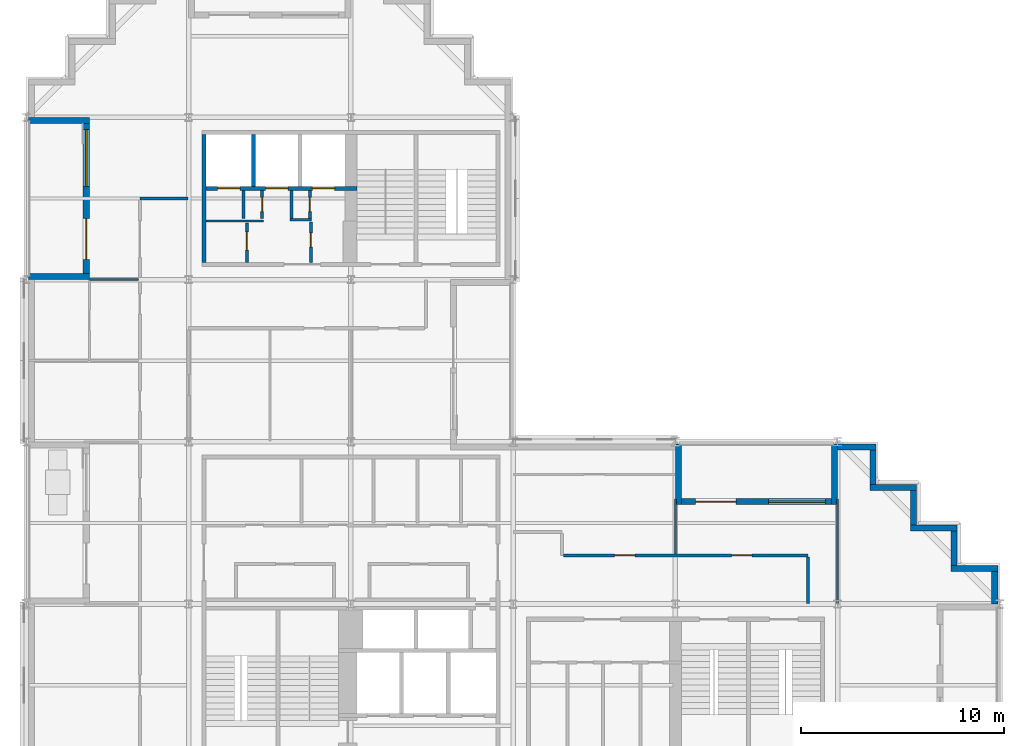
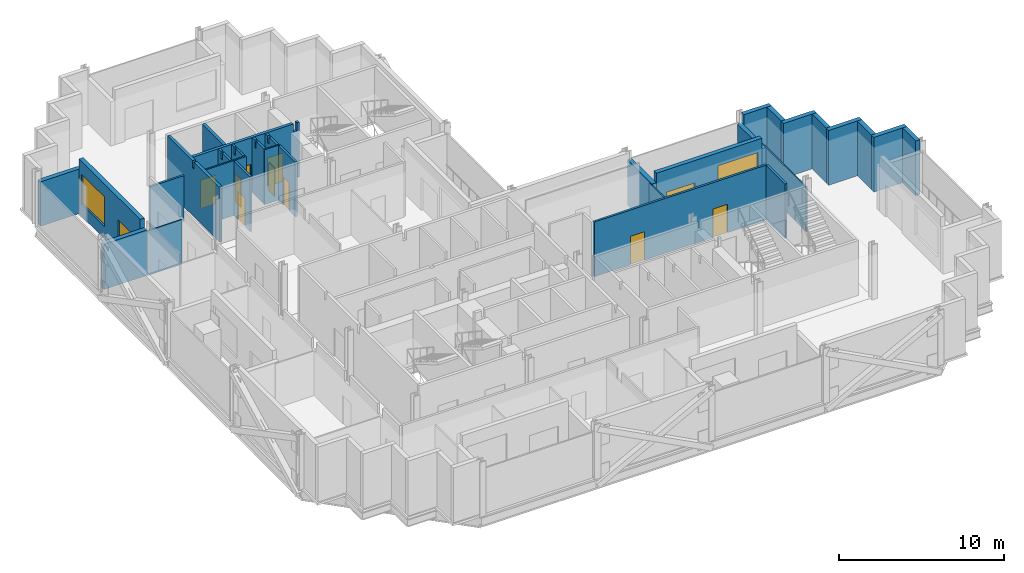
# One storey, part 8 of 13: 31 walls, 11 doors, 2 windows, 13 openings.
"""IFC4 building model written with IfcOpenShell, lengths in metres."""

from ifc_helpers import new_model, si_unit, direction, frame, frame_2d, origin, place, context, subcontext, project, spatial, polyline, rectangle, outline, extrude, material, layer, layer_set, type_object, element, fill, save


model = new_model("IFC4")

# Units and contexts
model_context = context("Model", 3, precision=1e-05, world=origin(), true_north=direction((0.0, 1.0)))
body_context = subcontext(model_context, "Body", "Model", "MODEL_VIEW")
ifc_project = project(units=[si_unit("LENGTHUNIT", "METRE"), si_unit("AREAUNIT", "SQUARE_METRE"), si_unit("VOLUMEUNIT", "CUBIC_METRE"), si_unit("PLANEANGLEUNIT", "RADIAN"), si_unit("MASSUNIT", "GRAM", prefix="KILO")], contexts=[model_context])

# Site, building, storey
site_placement = place(None, origin())
site = spatial("IfcSite", under=ifc_project, at=site_placement, CompositionType="ELEMENT")
building_placement = place(site_placement, origin())
building = spatial("IfcBuilding", under=site, at=building_placement, Name="Immortelle Media Tower", CompositionType="ELEMENT")
storey_placement = place(building_placement, frame((0.0, 0.0, 128.39990234375)))
storey = spatial("IfcBuildingStorey", under=building, at=storey_placement, Name="L25", CompositionType="ELEMENT", Elevation=128.39990234375)

# Walls
ifc_material_1 = material(Name="Fire-rated gypsum board", Category="gypsum")
ifc_layer_1 = layer(ifc_material_1, 0.02490234375)
ifc_material_2 = material(Name="Steel ASTM A653 SS Gr 50 stud frame with mineral wool", Category="steel")
ifc_layer_2 = layer(ifc_material_2, 0.050048828125)
ifc_layer_3 = layer(ifc_material_1, 0.02490234375)
ifc_layer_set_1 = layer_set([ifc_layer_1, ifc_layer_2, ifc_layer_3], Name="Steel ASTM A653 SS Gr 50 stud frame with mineral wool")
wall_type_1 = type_object("IfcWallType", Name="Core partition 100", PredefinedType="PARTITIONING", material=ifc_layer_set_1)
wall_1_placement = place(storey_placement, frame((8.85009765625, 34.89990234375, 0.0), z_axis=(0.0, 0.0, 1.0), x_axis=(1.0, 0.0, 0.0)))
element("IfcWall", 1, at=wall_1_placement, inside=storey, type_object=wall_type_1, Name="Core partition NW", PredefinedType="PARTITIONING", context=body_context, shape_type="SweptSolid", body=[
    extrude(rectangle(XDim=2.849853515625, YDim=0.10009765625, at=frame_2d((1.4248046875, 0.0))), origin(), (0.0, 0.0, 1.0), 4.050048828125),
])
wall_2_placement = place(storey_placement, frame((13.0, 34.949951171875, 0.0), z_axis=(0.0, 0.0, 1.0), x_axis=(1.0, 0.0, 0.0)))
element("IfcWall", 2, at=wall_2_placement, inside=storey, type_object=wall_type_1, Name="Core partition NW", PredefinedType="PARTITIONING", context=body_context, shape_type="SweptSolid", body=[
    extrude(rectangle(XDim=1.050048828125, YDim=0.10009765625, at=frame_2d((0.52490234375, 0.0))), origin(), (0.0, 0.0, 1.0), 4.050048828125),
])
ifc_layer_4 = layer(ifc_material_1, 0.02490234375)
ifc_layer_5 = layer(ifc_material_2, 0.10009765625)
ifc_layer_6 = layer(ifc_material_1, 0.02490234375)
ifc_layer_set_2 = layer_set([ifc_layer_4, ifc_layer_5, ifc_layer_6], Name="Steel ASTM A653 SS Gr 50 stud frame with mineral wool")
wall_type_2 = type_object("IfcWallType", Name="Core partition 150", PredefinedType="PARTITIONING", material=ifc_layer_set_2)
wall_3_placement = place(storey_placement, frame((10.699951171875, 35.0, 0.0), z_axis=(0.0, 0.0, 1.0), x_axis=(0.0, 1.0, 0.0)))
element("IfcWall", 3, at=wall_3_placement, inside=storey, type_object=wall_type_2, Name="Core partition NW", PredefinedType="PARTITIONING", context=body_context, shape_type="SweptSolid", body=[
    extrude(outline(polyline([(0.0, 0.0), (1.39990234375, 0.0), (1.39990234375, 4.050048828125), (1.08740234375, 4.050048828125), (1.08642578125, 3.51806640625), (0.91357421875, 3.51806640625), (0.91259765625, 4.050048828125), (0.0, 4.050048828125), (0.0, 0.0)])), frame((0.0, 0.074951171875, 0.0), z_axis=(0.0, -1.0, 0.0), x_axis=(1.0, 0.0, 0.0)), (0.0, 0.0, 1.0), 0.14990234375),
])

# Wall, opening, door
wall_4_placement = place(storey_placement, frame((10.875, 32.85009765625, 0.0), z_axis=(0.0, 0.0, 1.0), x_axis=(0.0, 1.0, 0.0)))
wall_4 = element("IfcWall", 4, at=wall_4_placement, inside=storey, type_object=wall_type_2, Name="Core partition NW", PredefinedType="PARTITIONING", context=body_context, shape_type="SweptSolid", body=[
    extrude(rectangle(XDim=1.949951171875, YDim=0.14990234375, at=frame_2d((0.97509765625, 0.0))), origin(), (0.0, 0.0, 1.0), 4.050048828125),
])
opening_1_placement = place(wall_4_placement, frame((0.60009765625, 0.0, 0.0)))
opening_1 = element("IfcOpeningElement", 5, at=opening_1_placement, cuts=wall_4, Name="Opening C1-K026", PredefinedType="OPENING", context=body_context, shape_type="SweptSolid", body=[
    extrude(rectangle(XDim=0.89990234375, YDim=2.10009765625, at=frame_2d((0.449951171875, 1.050048828125))), frame((0.0, 0.0849609375, 0.0), z_axis=(0.0, -1.0, 0.0), x_axis=(1.0, 0.0, 0.0)), (0.0, 0.0, 1.0), 0.169921875),
])
ifc_material_3 = material(Name="Galvanised steel door leaf and frame ASTM A653", Category="steel")
door_type_1 = type_object("IfcDoorType", Name="Service door 900 x 2100", OperationType="NOTDEFINED", PredefinedType="NOTDEFINED", material=ifc_material_3)
door_1_placement = place(opening_1_placement, origin())
door_1 = element("IfcDoor", 6, at=door_1_placement, inside=storey, type_object=door_type_1, Name="Service C1-K026", OperationType="SINGLE_SWING_LEFT", OverallHeight=2.10009765625, OverallWidth=0.89990234375, PredefinedType="NOTDEFINED", context=body_context, shape_type="SweptSolid", body=[
    extrude(rectangle(XDim=0.89990234375, YDim=2.10009765625, at=frame_2d((0.449951171875, 1.050048828125))), frame((0.0, 0.02490234375, 0.0), z_axis=(0.0, -1.0, 0.0), x_axis=(1.0, 0.0, 0.0)), (0.0, 0.0, 1.0), 0.050048828125),
])
fill(opening_1, door_1)

wall_5_placement = place(storey_placement, frame((11.625, 35.0, 0.0), z_axis=(0.0, 0.0, 1.0), x_axis=(0.0, 1.0, 0.0)))
wall_5 = element("IfcWall", 7, at=wall_5_placement, inside=storey, type_object=wall_type_2, Name="Core partition NW", PredefinedType="PARTITIONING", context=body_context, shape_type="SweptSolid", body=[
    extrude(outline(polyline([(0.0, 0.0), (1.39990234375, 0.0), (1.39990234375, 4.050048828125), (1.08740234375, 4.050048828125), (1.08642578125, 3.51806640625), (0.91357421875, 3.51806640625), (0.91259765625, 4.050048828125), (0.0, 4.050048828125), (0.0, 0.0)])), frame((0.0, 0.074951171875, 0.0), z_axis=(0.0, -1.0, 0.0), x_axis=(1.0, 0.0, 0.0)), (0.0, 0.0, 1.0), 0.14990234375),
])
opening_2_placement = place(wall_5_placement, frame((0.35009765625, 0.0, 0.0)))
opening_2 = element("IfcOpeningElement", 8, at=opening_2_placement, cuts=wall_5, Name="Opening C1-K027", PredefinedType="OPENING", context=body_context, shape_type="SweptSolid", body=[
    extrude(rectangle(XDim=0.699951171875, YDim=2.10009765625, at=frame_2d((0.35009765625, 1.050048828125))), frame((0.0, 0.0849609375, 0.0), z_axis=(0.0, -1.0, 0.0), x_axis=(1.0, 0.0, 0.0)), (0.0, 0.0, 1.0), 0.169921875),
])
door_type_2 = type_object("IfcDoorType", Name="Service door 700 x 2100", OperationType="NOTDEFINED", PredefinedType="NOTDEFINED", material=ifc_material_3)
door_2_placement = place(opening_2_placement, origin())
door_2 = element("IfcDoor", 9, at=door_2_placement, inside=storey, type_object=door_type_2, Name="Service C1-K027", OperationType="SINGLE_SWING_RIGHT", OverallHeight=2.10009765625, OverallWidth=0.699951171875, PredefinedType="NOTDEFINED", context=body_context, shape_type="SweptSolid", body=[
    extrude(rectangle(XDim=0.699951171875, YDim=2.10009765625, at=frame_2d((0.35009765625, 1.050048828125))), frame((0.0, 0.02490234375, 0.0), z_axis=(0.0, -1.0, 0.0), x_axis=(1.0, 0.0, 0.0)), (0.0, 0.0, 1.0), 0.050048828125),
])
fill(opening_2, door_2)

# Wall
wall_6_placement = place(storey_placement, frame((13.074951171875, 35.0, 0.0), z_axis=(0.0, 0.0, 1.0), x_axis=(0.0, 1.0, 0.0)))
element("IfcWall", 10, at=wall_6_placement, inside=storey, type_object=wall_type_2, Name="Core partition NW", PredefinedType="PARTITIONING", context=body_context, shape_type="SweptSolid", body=[
    extrude(outline(polyline([(0.0, 0.0), (1.39990234375, 0.0), (1.39990234375, 4.050048828125), (1.08740234375, 4.050048828125), (1.08642578125, 3.51806640625), (0.91357421875, 3.51806640625), (0.91259765625, 4.050048828125), (0.0, 4.050048828125), (0.0, 0.0)])), frame((0.0, 0.074951171875, 0.0), z_axis=(0.0, -1.0, 0.0), x_axis=(1.0, 0.0, 0.0)), (0.0, 0.0, 1.0), 0.14990234375),
])

# Wall, opening, door
wall_7_placement = place(storey_placement, frame((13.97509765625, 35.0, 0.0), z_axis=(0.0, 0.0, 1.0), x_axis=(0.0, 1.0, 0.0)))
wall_7 = element("IfcWall", 11, at=wall_7_placement, inside=storey, type_object=wall_type_2, Name="Core partition NW", PredefinedType="PARTITIONING", context=body_context, shape_type="SweptSolid", body=[
    extrude(outline(polyline([(0.0, 0.0), (1.39990234375, 0.0), (1.39990234375, 4.050048828125), (1.08740234375, 4.050048828125), (1.08642578125, 3.51806640625), (0.91357421875, 3.51806640625), (0.91259765625, 4.050048828125), (0.0, 4.050048828125), (0.0, 0.0)])), frame((0.0, 0.074951171875, 0.0), z_axis=(0.0, -1.0, 0.0), x_axis=(1.0, 0.0, 0.0)), (0.0, 0.0, 1.0), 0.14990234375),
])
opening_3_placement = place(wall_7_placement, frame((1.050048828125, 0.0, 0.0), z_axis=(0.0, 0.0, 1.0), x_axis=(-1.0, 0.0, 0.0)))
opening_3 = element("IfcOpeningElement", 12, at=opening_3_placement, cuts=wall_7, Name="Opening C1-K030", PredefinedType="OPENING", context=body_context, shape_type="SweptSolid", body=[
    extrude(rectangle(XDim=0.699951171875, YDim=2.10009765625, at=frame_2d((0.35009765625, 1.050048828125))), frame((0.0, 0.0849609375, 0.0), z_axis=(0.0, -1.0, 0.0), x_axis=(1.0, 0.0, 0.0)), (0.0, 0.0, 1.0), 0.169921875),
])
door_3_placement = place(opening_3_placement, origin())
door_3 = element("IfcDoor", 13, at=door_3_placement, inside=storey, type_object=door_type_2, Name="Service C1-K030", OperationType="SINGLE_SWING_RIGHT", OverallHeight=2.10009765625, OverallWidth=0.699951171875, PredefinedType="NOTDEFINED", context=body_context, shape_type="SweptSolid", body=[
    extrude(rectangle(XDim=0.699951171875, YDim=2.10009765625, at=frame_2d((0.35009765625, 1.050048828125))), frame((0.0, 0.02490234375, 0.0), z_axis=(0.0, -1.0, 0.0), x_axis=(1.0, 0.0, 0.0)), (0.0, 0.0, 1.0), 0.050048828125),
])
fill(opening_3, door_3)

wall_8_placement = place(storey_placement, frame((14.02490234375, 32.85009765625, 0.0), z_axis=(0.0, 0.0, 1.0), x_axis=(0.0, 1.0, 0.0)))
wall_8 = element("IfcWall", 14, at=wall_8_placement, inside=storey, type_object=wall_type_2, Name="Core partition NW", PredefinedType="PARTITIONING", context=body_context, shape_type="SweptSolid", body=[
    extrude(rectangle(XDim=2.0, YDim=0.14990234375, at=frame_2d((1.0, 0.0))), origin(), (0.0, 0.0, 1.0), 4.050048828125),
])
opening_4_placement = place(wall_8_placement, frame((1.449951171875, 0.0, 0.0), z_axis=(0.0, 0.0, 1.0), x_axis=(-1.0, 0.0, 0.0)))
opening_4 = element("IfcOpeningElement", 15, at=opening_4_placement, cuts=wall_8, Name="Opening C1-K031", PredefinedType="OPENING", context=body_context, shape_type="SweptSolid", body=[
    extrude(rectangle(XDim=0.699951171875, YDim=2.10009765625, at=frame_2d((0.35009765625, 1.050048828125))), frame((0.0, 0.0849609375, 0.0), z_axis=(0.0, -1.0, 0.0), x_axis=(1.0, 0.0, 0.0)), (0.0, 0.0, 1.0), 0.169921875),
])
door_4_placement = place(opening_4_placement, origin())
door_4 = element("IfcDoor", 16, at=door_4_placement, inside=storey, type_object=door_type_2, Name="Service C1-K031", OperationType="SINGLE_SWING_LEFT", OverallHeight=2.10009765625, OverallWidth=0.699951171875, PredefinedType="NOTDEFINED", context=body_context, shape_type="SweptSolid", body=[
    extrude(rectangle(XDim=0.699951171875, YDim=2.10009765625, at=frame_2d((0.35009765625, 1.050048828125))), frame((0.0, 0.02490234375, 0.0), z_axis=(0.0, -1.0, 0.0), x_axis=(1.0, 0.0, 0.0)), (0.0, 0.0, 1.0), 0.050048828125),
])
fill(opening_4, door_4)

# Wall
ifc_layer_7 = layer(ifc_material_1, 0.03759765625)
ifc_layer_8 = layer(ifc_material_2, 0.125)
ifc_layer_9 = layer(ifc_material_1, 0.03759765625)
ifc_layer_set_3 = layer_set([ifc_layer_7, ifc_layer_8, ifc_layer_9], Name="Steel ASTM A653 SS Gr 50 stud frame with mineral wool")
wall_type_3 = type_object("IfcWallType", Name="Core shaft wall 200", PredefinedType="PARTITIONING", material=ifc_layer_set_3)
wall_9_placement = place(storey_placement, frame((8.75, 32.85009765625, 0.0), z_axis=(0.0, 0.0, 1.0), x_axis=(0.0, 1.0, 0.0)))
element("IfcWall", 17, at=wall_9_placement, inside=storey, type_object=wall_type_3, Name="Core shaft wall NW", PredefinedType="PARTITIONING", context=body_context, shape_type="SweptSolid", body=[
    extrude(outline(polyline([(0.0, 0.0), (6.2998046875, 0.0), (6.300048828125, 4.050048828125), (3.237548828125, 4.050048828125), (3.236572265625, 3.51806640625), (3.0634765625, 3.51806640625), (3.0625, 4.050048828125), (0.0, 4.050048828125), (0.0, 0.0)])), frame((0.0, 0.10009765625, 0.0), z_axis=(0.0, -1.0, 0.0), x_axis=(1.0, 0.0, 0.0)), (0.0, 0.0, 1.0), 0.199951171875),
])

# Wall, openings, doors
wall_10_placement = place(storey_placement, frame((8.85009765625, 36.5, 0.0), z_axis=(0.0, 0.0, 1.0), x_axis=(1.0, 0.0, 0.0)))
wall_10 = element("IfcWall", 18, at=wall_10_placement, inside=storey, type_object=wall_type_3, Name="Core shaft wall NW", PredefinedType="PARTITIONING", context=body_context, shape_type="SweptSolid", body=[
    extrude(outline(polyline([(0.0, 0.0), (7.449951171875, 0.0), (7.449951171875, 4.050048828125), (7.26953125, 4.050048828125), (7.2685546875, 3.43212890625), (7.031494140625, 3.43212890625), (7.030517578125, 4.050048828125), (0.0, 4.050048828125), (0.0, 0.0)])), frame((0.0, 0.10009765625, 0.0), z_axis=(0.0, -1.0, 0.0), x_axis=(1.0, 0.0, 0.0)), (0.0, 0.0, 1.0), 0.199951171875),
])
opening_5_placement = place(wall_10_placement, frame((0.574951171875, 0.0, 0.0)))
opening_5 = element("IfcOpeningElement", 19, at=opening_5_placement, cuts=wall_10, Name="Opening LD", PredefinedType="OPENING", context=body_context, shape_type="SweptSolid", body=[
    extrude(rectangle(XDim=1.10009765625, YDim=2.10009765625, at=frame_2d((0.550048828125, 1.050048828125))), frame((0.0, 0.10986328125, 0.0), z_axis=(0.0, -1.0, 0.0), x_axis=(1.0, 0.0, 0.0)), (0.0, 0.0, 1.0), 0.219970703125),
])
opening_6_placement = place(wall_10_placement, frame((2.949951171875, 0.0, 0.0)))
opening_6 = element("IfcOpeningElement", 20, at=opening_6_placement, cuts=wall_10, Name="Opening LD", PredefinedType="OPENING", context=body_context, shape_type="SweptSolid", body=[
    extrude(rectangle(XDim=1.10009765625, YDim=2.10009765625, at=frame_2d((0.550048828125, 1.050048828125))), frame((0.0, 0.10986328125, 0.0), z_axis=(0.0, -1.0, 0.0), x_axis=(1.0, 0.0, 0.0)), (0.0, 0.0, 1.0), 0.219970703125),
])
opening_7_placement = place(wall_10_placement, frame((5.25, 0.0, 0.0)))
opening_7 = element("IfcOpeningElement", 21, at=opening_7_placement, cuts=wall_10, Name="Opening LD", PredefinedType="OPENING", context=body_context, shape_type="SweptSolid", body=[
    extrude(rectangle(XDim=1.10009765625, YDim=2.10009765625, at=frame_2d((0.550048828125, 1.050048828125))), frame((0.0, 0.10986328125, 0.0), z_axis=(0.0, -1.0, 0.0), x_axis=(1.0, 0.0, 0.0)), (0.0, 0.0, 1.0), 0.219970703125),
])
ifc_material_4 = material(Name="Stainless steel AISI 304", Category="steel")
door_type_3 = type_object("IfcDoorType", Name="Landing door 1100 x 2100", OperationType="SLIDING_TO_LEFT", PredefinedType="NOTDEFINED", material=ifc_material_4)
door_5_placement = place(opening_5_placement, origin())
door_5 = element("IfcDoor", 22, at=door_5_placement, inside=storey, type_object=door_type_3, Name="Landing door MR1 L25", OperationType="SLIDING_TO_LEFT", OverallHeight=2.10009765625, OverallWidth=1.10009765625, PredefinedType="NOTDEFINED", context=body_context, shape_type="SweptSolid", body=[
    extrude(rectangle(XDim=1.10009765625, YDim=2.10009765625, at=frame_2d((0.550048828125, 1.050048828125))), frame((0.0, 0.02490234375, 0.0), z_axis=(0.0, -1.0, 0.0), x_axis=(1.0, 0.0, 0.0)), (0.0, 0.0, 1.0), 0.050048828125),
])
fill(opening_5, door_5)
door_6_placement = place(opening_6_placement, origin())
door_6 = element("IfcDoor", 23, at=door_6_placement, inside=storey, type_object=door_type_3, Name="Landing door MR2 L25", OperationType="SLIDING_TO_LEFT", OverallHeight=2.10009765625, OverallWidth=1.10009765625, PredefinedType="NOTDEFINED", context=body_context, shape_type="SweptSolid", body=[
    extrude(rectangle(XDim=1.10009765625, YDim=2.10009765625, at=frame_2d((0.550048828125, 1.050048828125))), frame((0.0, 0.02490234375, 0.0), z_axis=(0.0, -1.0, 0.0), x_axis=(1.0, 0.0, 0.0)), (0.0, 0.0, 1.0), 0.050048828125),
])
fill(opening_6, door_6)
door_7_placement = place(opening_7_placement, origin())
door_7 = element("IfcDoor", 24, at=door_7_placement, inside=storey, type_object=door_type_3, Name="Landing door MR3 L25", OperationType="SLIDING_TO_LEFT", OverallHeight=2.10009765625, OverallWidth=1.10009765625, PredefinedType="NOTDEFINED", context=body_context, shape_type="SweptSolid", body=[
    extrude(rectangle(XDim=1.10009765625, YDim=2.10009765625, at=frame_2d((0.550048828125, 1.050048828125))), frame((0.0, 0.02490234375, 0.0), z_axis=(0.0, -1.0, 0.0), x_axis=(1.0, 0.0, 0.0)), (0.0, 0.0, 1.0), 0.050048828125),
])
fill(opening_7, door_7)

# Walls
wall_11_placement = place(storey_placement, frame((11.199951171875, 36.60009765625, 0.0), z_axis=(0.0, 0.0, 1.0), x_axis=(0.0, 1.0, 0.0)))
element("IfcWall", 25, at=wall_11_placement, inside=storey, type_object=wall_type_3, Name="Core shaft wall NW", PredefinedType="PARTITIONING", context=body_context, shape_type="SweptSolid", body=[
    extrude(rectangle(XDim=2.5498046875, YDim=0.199951171875, at=frame_2d((1.27490234375, 0.0))), origin(), (0.0, 0.0, 1.0), 4.050048828125),
])
ifc_layer_10 = layer(ifc_material_1, 0.012451171875)
ifc_layer_11 = layer(ifc_material_2, 0.125)
ifc_layer_12 = layer(ifc_material_1, 0.012451171875)
ifc_layer_set_4 = layer_set([ifc_layer_10, ifc_layer_11, ifc_layer_12], Name="Steel ASTM A653 SS Gr 50 stud frame with mineral wool")
wall_type_4 = type_object("IfcWallType", Name="Corridor wall 150", PredefinedType="PARTITIONING", material=ifc_layer_set_4)
wall_12_placement = place(storey_placement, frame((38.550048828125, 16.030029296875, 0.0), z_axis=(0.0, 0.0, 1.0), x_axis=(0.0, 1.0, 0.0)))
element("IfcWall", 26, at=wall_12_placement, inside=storey, type_object=wall_type_4, Name="Partition L25-011", PredefinedType="PARTITIONING", context=body_context, shape_type="SweptSolid", body=[
    extrude(rectangle(XDim=2.294921875, YDim=0.14990234375, at=frame_2d((1.1474609375, 0.0))), origin(), (0.0, 0.0, 1.0), 4.050048828125),
])

# Wall, openings, doors
wall_13_placement = place(storey_placement, frame((26.47509765625, 18.39990234375, 0.0), z_axis=(0.0, 0.0, 1.0), x_axis=(1.0, 0.0, 0.0)))
wall_13 = element("IfcWall", 27, at=wall_13_placement, inside=storey, type_object=wall_type_4, Name="Partition L25-013", PredefinedType="PARTITIONING", context=body_context, shape_type="SweptSolid", body=[
    extrude(rectangle(XDim=12.074951171875, YDim=0.14990234375, at=frame_2d((6.03759765625, 0.0))), origin(), (0.0, 0.0, 1.0), 4.050048828125),
])
opening_8_placement = place(wall_13_placement, frame((8.300048828125, 0.0, 0.0)))
opening_8 = element("IfcOpeningElement", 28, at=opening_8_placement, cuts=wall_13, Name="Opening C1-F008", PredefinedType="OPENING", context=body_context, shape_type="SweptSolid", body=[
    extrude(rectangle(XDim=1.0, YDim=2.10009765625, at=frame_2d((0.5, 1.050048828125))), frame((0.0, 0.0849609375, 0.0), z_axis=(0.0, -1.0, 0.0), x_axis=(1.0, 0.0, 0.0)), (0.0, 0.0, 1.0), 0.169921875),
])
opening_9_placement = place(wall_13_placement, frame((2.52490234375, 0.0, 0.0)))
opening_9 = element("IfcOpeningElement", 29, at=opening_9_placement, cuts=wall_13, Name="Opening C1-F010", PredefinedType="OPENING", context=body_context, shape_type="SweptSolid", body=[
    extrude(rectangle(XDim=1.0, YDim=2.10009765625, at=frame_2d((0.5, 1.050048828125))), frame((0.0, 0.0849609375, 0.0), z_axis=(0.0, -1.0, 0.0), x_axis=(1.0, 0.0, 0.0)), (0.0, 0.0, 1.0), 0.169921875),
])
ifc_material_5 = material(Name="Timber veneered door leaf, galvanised steel frame ASTM A653", Category="steel")
door_type_4 = type_object("IfcDoorType", Name="Room door 1000 x 2100", OperationType="NOTDEFINED", PredefinedType="DOOR", material=ifc_material_5)
door_8_placement = place(opening_8_placement, origin())
door_8 = element("IfcDoor", 30, at=door_8_placement, inside=storey, type_object=door_type_4, Name="Door C1-F008", OperationType="SINGLE_SWING_LEFT", OverallHeight=2.10009765625, OverallWidth=1.0, PredefinedType="DOOR", context=body_context, shape_type="SweptSolid", body=[
    extrude(rectangle(XDim=1.0, YDim=2.10009765625, at=frame_2d((0.5, 1.050048828125))), frame((0.0, 0.02490234375, 0.0), z_axis=(0.0, -1.0, 0.0), x_axis=(1.0, 0.0, 0.0)), (0.0, 0.0, 1.0), 0.050048828125),
])
fill(opening_8, door_8)
door_9_placement = place(opening_9_placement, origin())
door_9 = element("IfcDoor", 31, at=door_9_placement, inside=storey, type_object=door_type_4, Name="Door C1-F010", OperationType="SINGLE_SWING_RIGHT", OverallHeight=2.10009765625, OverallWidth=1.0, PredefinedType="DOOR", context=body_context, shape_type="SweptSolid", body=[
    extrude(rectangle(XDim=1.0, YDim=2.10009765625, at=frame_2d((0.5, 1.050048828125))), frame((0.0, 0.02490234375, 0.0), z_axis=(0.0, -1.0, 0.0), x_axis=(1.0, 0.0, 0.0)), (0.0, 0.0, 1.0), 0.050048828125),
])
fill(opening_9, door_9)

# Walls
wall_14_placement = place(storey_placement, frame((5.60009765625, 36.0, 0.0), z_axis=(0.0, 0.0, 1.0), x_axis=(1.0, 0.0, 0.0)))
element("IfcWall", 32, at=wall_14_placement, inside=storey, type_object=wall_type_4, Name="Partition L25-028", PredefinedType="PARTITIONING", context=body_context, shape_type="SweptSolid", body=[
    extrude(rectangle(XDim=2.369873046875, YDim=0.14990234375, at=frame_2d((1.18505859375, 0.0))), origin(), (0.0, 0.0, 1.0), 3.2880859375),
])
ifc_material_6 = material(Name="Pale aluminium cladding panel", Category="aluminium")
ifc_layer_13 = layer(ifc_material_6, 0.030029296875)
ifc_layer_14 = layer(ifc_material_2, 0.257568359375)
ifc_material_7 = material(Name="Moisture-resistant gypsum board", Category="gypsum")
ifc_layer_15 = layer(ifc_material_7, 0.012451171875)
ifc_layer_set_5 = layer_set([ifc_layer_13, ifc_layer_14, ifc_layer_15], Name="Steel ASTM A653 SS Gr 50 stud frame with mineral wool")
wall_type_5 = type_object("IfcWallType", Name="Facade wall 300", PredefinedType="SOLIDWALL", material=ifc_layer_set_5)
wall_15_placement = place(storey_placement, frame((47.75, 16.0, 0.0), z_axis=(0.0, 0.0, 1.0), x_axis=(0.0, 1.0, 0.0)))
element("IfcWall", 33, at=wall_15_placement, inside=storey, type_object=wall_type_5, Name="Facade wall L25 E13", PredefinedType="SOLIDWALL", context=body_context, shape_type="SweptSolid", body=[
    extrude(rectangle(XDim=1.60009765625, YDim=0.300048828125, at=frame_2d((0.800048828125, 0.0))), origin(), (0.0, 0.0, 1.0), 4.050048828125),
])
wall_16_placement = place(storey_placement, frame((47.89990234375, 17.75, 0.0), z_axis=(0.0, 0.0, 1.0), x_axis=(-1.0, 0.0, 0.0)))
element("IfcWall", 34, at=wall_16_placement, inside=storey, type_object=wall_type_5, Name="Facade wall L25 N14", PredefinedType="SOLIDWALL", context=body_context, shape_type="SweptSolid", body=[
    extrude(rectangle(XDim=2.2998046875, YDim=0.300048828125, at=frame_2d((1.14990234375, 0.0))), origin(), (0.0, 0.0, 1.0), 4.050048828125),
])
wall_17_placement = place(storey_placement, frame((45.75, 17.89990234375, 0.0), z_axis=(0.0, 0.0, 1.0), x_axis=(0.0, 1.0, 0.0)))
element("IfcWall", 35, at=wall_17_placement, inside=storey, type_object=wall_type_5, Name="Facade wall L25 E15", PredefinedType="SOLIDWALL", context=body_context, shape_type="SweptSolid", body=[
    extrude(rectangle(XDim=1.7001953125, YDim=0.300048828125, at=frame_2d((0.85009765625, 0.0))), origin(), (0.0, 0.0, 1.0), 4.050048828125),
])
wall_18_placement = place(storey_placement, frame((45.89990234375, 19.75, 0.0), z_axis=(0.0, 0.0, 1.0), x_axis=(-1.0, 0.0, 0.0)))
element("IfcWall", 36, at=wall_18_placement, inside=storey, type_object=wall_type_5, Name="Facade wall L25 N16", PredefinedType="SOLIDWALL", context=body_context, shape_type="SweptSolid", body=[
    extrude(rectangle(XDim=2.2998046875, YDim=0.300048828125, at=frame_2d((1.14990234375, 0.0))), origin(), (0.0, 0.0, 1.0), 4.050048828125),
])
wall_19_placement = place(storey_placement, frame((43.75, 19.89990234375, 0.0), z_axis=(0.0, 0.0, 1.0), x_axis=(0.0, 1.0, 0.0)))
element("IfcWall", 37, at=wall_19_placement, inside=storey, type_object=wall_type_5, Name="Facade wall L25 E17", PredefinedType="SOLIDWALL", context=body_context, shape_type="SweptSolid", body=[
    extrude(rectangle(XDim=1.7001953125, YDim=0.300048828125, at=frame_2d((0.85009765625, 0.0))), origin(), (0.0, 0.0, 1.0), 4.050048828125),
])
wall_20_placement = place(storey_placement, frame((43.89990234375, 21.75, 0.0), z_axis=(0.0, 0.0, 1.0), x_axis=(-1.0, 0.0, 0.0)))
element("IfcWall", 38, at=wall_20_placement, inside=storey, type_object=wall_type_5, Name="Facade wall L25 N18", PredefinedType="SOLIDWALL", context=body_context, shape_type="SweptSolid", body=[
    extrude(rectangle(XDim=2.2998046875, YDim=0.300048828125, at=frame_2d((1.14990234375, 0.0))), origin(), (0.0, 0.0, 1.0), 4.050048828125),
])
wall_21_placement = place(storey_placement, frame((41.75, 21.89990234375, 0.0), z_axis=(0.0, 0.0, 1.0), x_axis=(0.0, 1.0, 0.0)))
element("IfcWall", 39, at=wall_21_placement, inside=storey, type_object=wall_type_5, Name="Facade wall L25 E19", PredefinedType="SOLIDWALL", context=body_context, shape_type="SweptSolid", body=[
    extrude(rectangle(XDim=1.7001953125, YDim=0.300048828125, at=frame_2d((0.85009765625, 0.0))), origin(), (0.0, 0.0, 1.0), 4.050048828125),
])
wall_22_placement = place(storey_placement, frame((41.89990234375, 23.75, 0.0), z_axis=(0.0, 0.0, 1.0), x_axis=(-1.0, 0.0, 0.0)))
element("IfcWall", 40, at=wall_22_placement, inside=storey, type_object=wall_type_5, Name="Facade wall L25 N20", PredefinedType="SOLIDWALL", context=body_context, shape_type="SweptSolid", body=[
    extrude(rectangle(XDim=1.89990234375, YDim=0.300048828125, at=frame_2d((0.949951171875, 0.0))), origin(), (0.0, 0.0, 1.0), 4.050048828125),
])

# Wall, openings, door, window
wall_23_placement = place(storey_placement, frame((39.699951171875, 21.050048828125, 0.0), z_axis=(0.0, 0.0, 1.0), x_axis=(-1.0, 0.0, 0.0)))
wall_23 = element("IfcWall", 41, at=wall_23_placement, inside=storey, type_object=wall_type_5, Name="Loggia wall L25 N20", PredefinedType="SOLIDWALL", context=body_context, shape_type="SweptSolid", body=[
    extrude(rectangle(XDim=7.39990234375, YDim=0.300048828125, at=frame_2d((3.699951171875, 0.0))), origin(), (0.0, 0.0, 1.0), 4.050048828125),
])
opening_10_placement = place(wall_23_placement, frame((0.300048828125, 0.0, 0.89990234375)))
opening_10 = element("IfcOpeningElement", 42, at=opening_10_placement, cuts=wall_23, Name="Opening W1", PredefinedType="OPENING", context=body_context, shape_type="SweptSolid", body=[
    extrude(rectangle(XDim=2.800048828125, YDim=2.199951171875, at=frame_2d((1.39990234375, 1.10009765625))), frame((0.0, 0.159912109375, 0.0), z_axis=(0.0, -1.0, 0.0), x_axis=(1.0, 0.0, 0.0)), (0.0, 0.0, 1.0), 0.320068359375),
])
opening_11_placement = place(wall_23_placement, frame((4.699951171875, 0.0, 0.0)))
opening_11 = element("IfcOpeningElement", 43, at=opening_11_placement, cuts=wall_23, Name="Opening C1-E004", PredefinedType="OPENING", context=body_context, shape_type="SweptSolid", body=[
    extrude(rectangle(XDim=2.0, YDim=2.39990234375, at=frame_2d((1.0, 1.199951171875))), frame((0.0, 0.159912109375, 0.0), z_axis=(0.0, -1.0, 0.0), x_axis=(1.0, 0.0, 0.0)), (0.0, 0.0, 1.0), 0.320068359375),
])
ifc_material_8 = material(Name="Aluminium frame, glazed leaves", Category="aluminium")
door_type_5 = type_object("IfcDoorType", Name="Loggia door 2000 x 2400", OperationType="DOUBLE_DOOR_SINGLE_SWING", PredefinedType="DOOR", material=ifc_material_8)
door_10_placement = place(opening_11_placement, origin())
door_10 = element("IfcDoor", 44, at=door_10_placement, inside=storey, type_object=door_type_5, Name="Door C1-E004", OperationType="DOUBLE_DOOR_SINGLE_SWING", OverallHeight=2.39990234375, OverallWidth=2.0, PredefinedType="DOOR", context=body_context, shape_type="SweptSolid", body=[
    extrude(rectangle(XDim=2.0, YDim=2.39990234375, at=frame_2d((1.0, 1.199951171875))), frame((0.0, 0.02490234375, 0.0), z_axis=(0.0, -1.0, 0.0), x_axis=(1.0, 0.0, 0.0)), (0.0, 0.0, 1.0), 0.050048828125),
])
fill(opening_11, door_10)
ifc_material_9 = material(Name="Aluminium frame", Category="aluminium")
window_type = type_object("IfcWindowType", Name="Window 2800 x 2200", PartitioningType="SINGLE_PANEL", PredefinedType="WINDOW", material=ifc_material_9)
window_1_placement = place(opening_10_placement, origin())
window_1 = element("IfcWindow", 45, at=window_1_placement, inside=storey, type_object=window_type, Name="Window L25 L25-R20-B0", OverallHeight=2.199951171875, OverallWidth=2.800048828125, PartitioningType="SINGLE_PANEL", PredefinedType="WINDOW", context=body_context, shape_type="SweptSolid", body=[
    extrude(rectangle(XDim=2.800048828125, YDim=2.199951171875, at=frame_2d((1.39990234375, 1.10009765625))), frame((0.0, 0.030029296875, 0.0), z_axis=(0.0, -1.0, 0.0), x_axis=(1.0, 0.0, 0.0)), (0.0, 0.0, 1.0), 0.06005859375),
])
fill(opening_10, window_1)

# Walls
wall_24_placement = place(storey_placement, frame((39.85009765625, 23.89990234375, 0.0), z_axis=(0.0, 0.0, 1.0), x_axis=(0.0, -1.0, 0.0)))
element("IfcWall", 46, at=wall_24_placement, inside=storey, type_object=wall_type_5, Name="Loggia cheek wall L25 N", PredefinedType="SOLIDWALL", context=body_context, shape_type="SweptSolid", body=[
    extrude(rectangle(XDim=3.0, YDim=0.300048828125, at=frame_2d((1.5, 0.0))), origin(), (0.0, 0.0, 1.0), 3.287109375),
])
wall_25_placement = place(storey_placement, frame((32.14990234375, 23.89990234375, 0.0), z_axis=(0.0, 0.0, 1.0), x_axis=(0.0, -1.0, 0.0)))
element("IfcWall", 47, at=wall_25_placement, inside=storey, type_object=wall_type_5, Name="Loggia cheek wall L25 N", PredefinedType="SOLIDWALL", context=body_context, shape_type="SweptSolid", body=[
    extrude(rectangle(XDim=3.0, YDim=0.300048828125, at=frame_2d((1.5, 0.0))), origin(), (0.0, 0.0, 1.0), 3.356201171875),
])

# Wall, openings, door, window
wall_26_placement = place(storey_placement, frame((2.949951171875, 39.699951171875, 0.0), z_axis=(0.0, 0.0, 1.0), x_axis=(0.0, -1.0, 0.0)))
wall_26 = element("IfcWall", 48, at=wall_26_placement, inside=storey, type_object=wall_type_5, Name="Loggia wall L25 W35", PredefinedType="SOLIDWALL", context=body_context, shape_type="SweptSolid", body=[
    extrude(rectangle(XDim=7.39990234375, YDim=0.300048828125, at=frame_2d((3.699951171875, 0.0))), origin(), (0.0, 0.0, 1.0), 4.050048828125),
])
opening_12_placement = place(wall_26_placement, frame((0.300048828125, 0.0, 0.89990234375)))
opening_12 = element("IfcOpeningElement", 49, at=opening_12_placement, cuts=wall_26, Name="Opening W1", PredefinedType="OPENING", context=body_context, shape_type="SweptSolid", body=[
    extrude(rectangle(XDim=2.800048828125, YDim=2.199951171875, at=frame_2d((1.39990234375, 1.10009765625))), frame((0.0, 0.159912109375, 0.0), z_axis=(0.0, -1.0, 0.0), x_axis=(1.0, 0.0, 0.0)), (0.0, 0.0, 1.0), 0.320068359375),
])
opening_13_placement = place(wall_26_placement, frame((4.699951171875, 0.0, 0.0)))
opening_13 = element("IfcOpeningElement", 50, at=opening_13_placement, cuts=wall_26, Name="Opening C1-E007", PredefinedType="OPENING", context=body_context, shape_type="SweptSolid", body=[
    extrude(rectangle(XDim=2.0, YDim=2.39990234375, at=frame_2d((1.0, 1.199951171875))), frame((0.0, 0.159912109375, 0.0), z_axis=(0.0, -1.0, 0.0), x_axis=(1.0, 0.0, 0.0)), (0.0, 0.0, 1.0), 0.320068359375),
])
door_11_placement = place(opening_13_placement, origin())
door_11 = element("IfcDoor", 51, at=door_11_placement, inside=storey, type_object=door_type_5, Name="Door C1-E007", OperationType="DOUBLE_DOOR_SINGLE_SWING", OverallHeight=2.39990234375, OverallWidth=2.0, PredefinedType="DOOR", context=body_context, shape_type="SweptSolid", body=[
    extrude(rectangle(XDim=2.0, YDim=2.39990234375, at=frame_2d((1.0, 1.199951171875))), frame((0.0, 0.02490234375, 0.0), z_axis=(0.0, -1.0, 0.0), x_axis=(1.0, 0.0, 0.0)), (0.0, 0.0, 1.0), 0.050048828125),
])
fill(opening_13, door_11)
window_2_placement = place(opening_12_placement, origin())
window_2 = element("IfcWindow", 52, at=window_2_placement, inside=storey, type_object=window_type, Name="Window L25 L25-R35-B0", OverallHeight=2.199951171875, OverallWidth=2.800048828125, PartitioningType="SINGLE_PANEL", PredefinedType="WINDOW", context=body_context, shape_type="SweptSolid", body=[
    extrude(rectangle(XDim=2.800048828125, YDim=2.199951171875, at=frame_2d((1.39990234375, 1.10009765625))), frame((0.0, 0.030029296875, 0.0), z_axis=(0.0, -1.0, 0.0), x_axis=(1.0, 0.0, 0.0)), (0.0, 0.0, 1.0), 0.06005859375),
])
fill(opening_12, window_2)

# Walls
wall_27_placement = place(storey_placement, frame((0.10009765625, 39.85009765625, 0.0), z_axis=(0.0, 0.0, 1.0), x_axis=(1.0, 0.0, 0.0)))
element("IfcWall", 53, at=wall_27_placement, inside=storey, type_object=wall_type_5, Name="Loggia cheek wall L25 W", PredefinedType="SOLIDWALL", context=body_context, shape_type="SweptSolid", body=[
    extrude(rectangle(XDim=3.0, YDim=0.300048828125, at=frame_2d((1.5, 0.0))), origin(), (0.0, 0.0, 1.0), 3.287109375),
])
wall_28_placement = place(storey_placement, frame((0.10009765625, 32.14990234375, 0.0), z_axis=(0.0, 0.0, 1.0), x_axis=(1.0, 0.0, 0.0)))
element("IfcWall", 54, at=wall_28_placement, inside=storey, type_object=wall_type_5, Name="Loggia cheek wall L25 W", PredefinedType="SOLIDWALL", context=body_context, shape_type="SweptSolid", body=[
    extrude(rectangle(XDim=3.0, YDim=0.300048828125, at=frame_2d((1.5, 0.0))), origin(), (0.0, 0.0, 1.0), 3.356201171875),
])
ifc_material_10 = material(Name="Gypsum board", Category="gypsum")
ifc_layer_16 = layer(ifc_material_10, 0.012451171875)
ifc_layer_17 = layer(ifc_material_2, 0.074951171875)
ifc_layer_18 = layer(ifc_material_10, 0.012451171875)
ifc_layer_set_6 = layer_set([ifc_layer_16, ifc_layer_17, ifc_layer_18], Name="Steel ASTM A653 SS Gr 50 stud frame with mineral wool")
wall_type_6 = type_object("IfcWallType", Name="Partition 100", PredefinedType="PARTITIONING", material=ifc_layer_set_6)
wall_29_placement = place(storey_placement, frame((40.0, 16.030029296875, 0.0), z_axis=(0.0, 0.0, 1.0), x_axis=(0.0, 1.0, 0.0)))
element("IfcWall", 55, at=wall_29_placement, inside=storey, type_object=wall_type_6, Name="Partition L25-012", PredefinedType="PARTITIONING", context=body_context, shape_type="SweptSolid", body=[
    extrude(rectangle(XDim=5.139892578125, YDim=0.10009765625, at=frame_2d((2.56982421875, 0.0))), origin(), (0.0, 0.0, 1.0), 3.2880859375),
])
wall_30_placement = place(storey_placement, frame((32.0, 18.47509765625, 0.0), z_axis=(0.0, 0.0, 1.0), x_axis=(0.0, 1.0, 0.0)))
element("IfcWall", 56, at=wall_30_placement, inside=storey, type_object=wall_type_6, Name="Partition L25-015", PredefinedType="PARTITIONING", context=body_context, shape_type="SweptSolid", body=[
    extrude(rectangle(XDim=2.69482421875, YDim=0.10009765625, at=frame_2d((1.347412109375, 0.0))), origin(), (0.0, 0.0, 1.0), 3.2880859375),
])
wall_31_placement = place(storey_placement, frame((3.10009765625, 32.0, 0.0), z_axis=(0.0, 0.0, 1.0), x_axis=(1.0, 0.0, 0.0)))
element("IfcWall", 57, at=wall_31_placement, inside=storey, type_object=wall_type_6, Name="Partition L25-027", PredefinedType="PARTITIONING", context=body_context, shape_type="SweptSolid", body=[
    extrude(rectangle(XDim=2.4248046875, YDim=0.10009765625, at=frame_2d((1.21240234375, 0.0))), origin(), (0.0, 0.0, 1.0), 3.2880859375),
])

save(model, "model.ifc")
